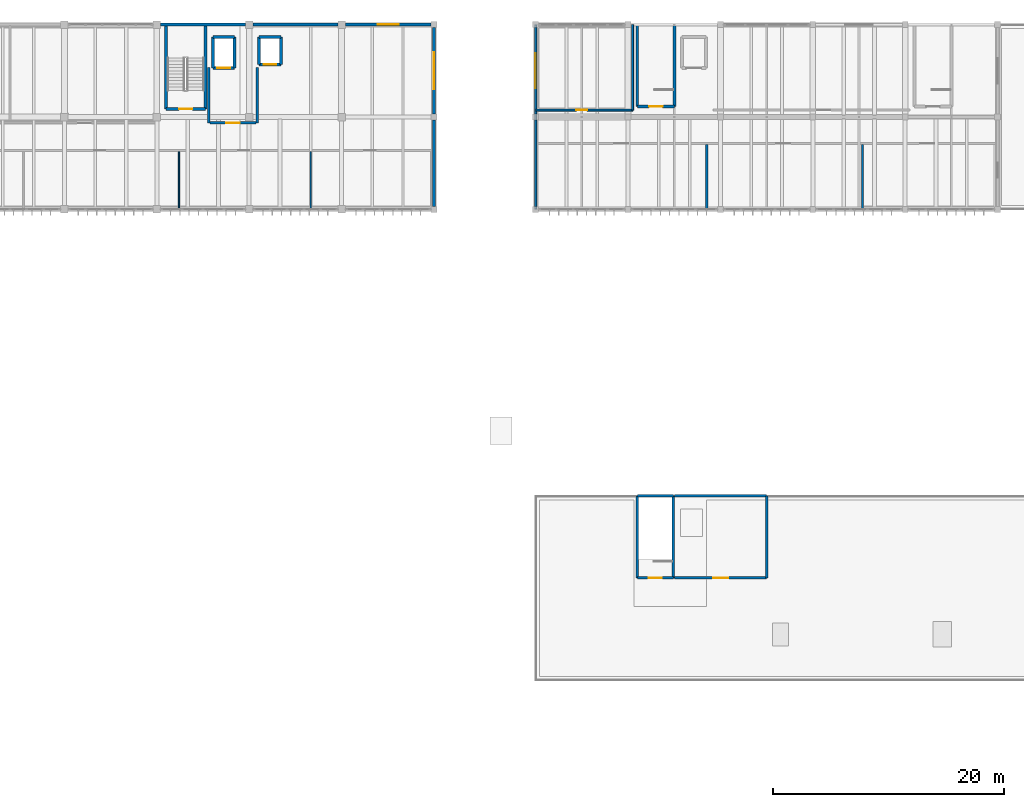
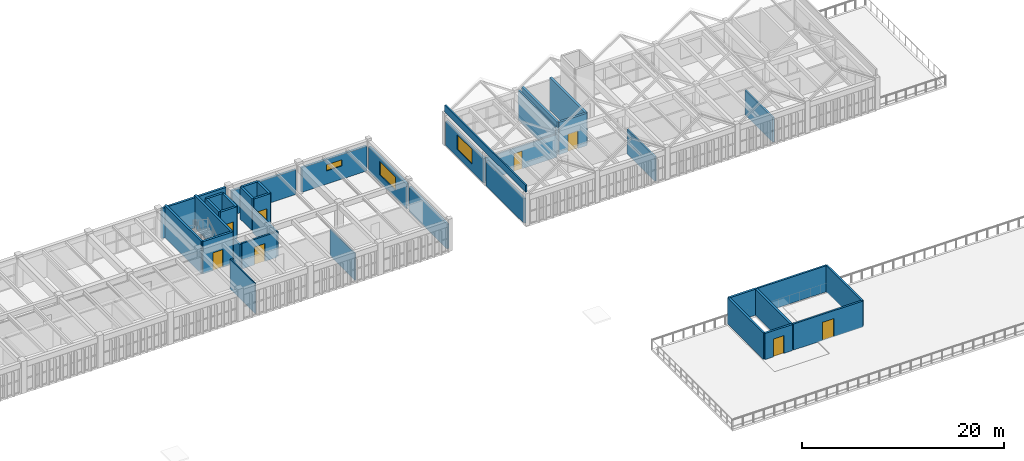
# One storey, part 21 of 31: 38 walls, 8 doors, 3 windows, 11 openings.
"""IFC4 building model written with IfcOpenShell, lengths in metres."""

from ifc_helpers import new_model, si_unit, direction, frame, frame_2d, origin, place, context, subcontext, project, spatial, rectangle, extrude, material, layer, layer_set, type_object, element, fill, save


model = new_model("IFC4")

# Units and contexts
model_context = context("Model", 3, precision=1e-05, world=origin(), true_north=direction((0.0, 1.0)))
body_context = subcontext(model_context, "Body", "Model", "MODEL_VIEW")
ifc_project = project(units=[si_unit("LENGTHUNIT", "METRE"), si_unit("AREAUNIT", "SQUARE_METRE"), si_unit("VOLUMEUNIT", "CUBIC_METRE"), si_unit("PLANEANGLEUNIT", "RADIAN"), si_unit("MASSUNIT", "GRAM", prefix="KILO")], contexts=[model_context])

# Site, building, storey
site_placement = place(None, origin())
site = spatial("IfcSite", under=ifc_project, at=site_placement, CompositionType="ELEMENT")
building_placement = place(site_placement, origin())
building = spatial("IfcBuilding", under=site, at=building_placement, Name="Tlaxcora Railside Police Headquarters", CompositionType="ELEMENT")
storey_placement = place(building_placement, frame((0.0, 0.0, 18.0)))
storey = spatial("IfcBuildingStorey", under=building, at=storey_placement, Name="L04", CompositionType="ELEMENT", Elevation=18.0)

# Walls
ifc_material_1 = material(Name="Gypsum acoustic partition board")
ifc_layer_1 = layer(ifc_material_1, 0.175048828125, Name="Gypsum acoustic partition board")
ifc_layer_set_1 = layer_set([ifc_layer_1], Name="Gypsum acoustic partition board")
wall_type_1 = type_object("IfcWallType", Name="Interior Partition Wall IW-22", PredefinedType="PARTITIONING", material=ifc_layer_set_1)
for number, where, z_axis, x_axis, name in (
    (1, (117.615966796875, 76.8798828125, 0.0), (0.0, 0.0, 1.0), (0.0, 1.0, 0.0), "V6 L04 interior partition 205"),
    (2, (131.094970703125, 76.8798828125, 0.0), (0.0, 0.0, 1.0), (0.0, 1.0, 0.0), "V6 L04 interior partition 206"),
):
    element("IfcWall", number, at=place(storey_placement, frame(where, z_axis=z_axis, x_axis=x_axis)), inside=storey, type_object=wall_type_1, Name=name, PredefinedType="PARTITIONING", context=body_context, shape_type="SweptSolid", body=[
        extrude(rectangle(XDim=5.52001953125, YDim=0.175048828125, at=frame_2d((2.760009765625, 0.0))), origin(), (0.0, 0.0, 1.0), 2.965087890625),
    ])

# Wall, opening, door
ifc_layer_2 = layer(ifc_material_1, 0.16796875, Name="Gypsum acoustic partition board")
ifc_layer_set_2 = layer_set([ifc_layer_2], Name="Gypsum acoustic partition board")
wall_type_2 = type_object("IfcWallType", Name="Interior Partition Wall IW-31", PredefinedType="PARTITIONING", material=ifc_layer_set_2)
wall_1_placement = place(storey_placement, frame((102.800048828125, 85.39990234375, 0.0), z_axis=(0.0, 0.0, 1.0), x_axis=(1.0, 0.0, 0.0)))
wall_1 = element("IfcWall", 3, at=wall_1_placement, inside=storey, type_object=wall_type_2, Name="V6 L04 interior partition 208", PredefinedType="PARTITIONING", context=body_context, shape_type="SweptSolid", body=[
    extrude(rectangle(XDim=8.39990234375, YDim=0.16796875, at=frame_2d((4.199951171875, 0.0))), origin(), (0.0, 0.0, 1.0), 2.764892578125),
])
opening_1_placement = place(wall_1_placement, frame((3.5, 0.0, 0.0)))
opening_1 = element("IfcOpeningElement", 4, at=opening_1_placement, cuts=wall_1, Name="Opening D-L04-233", PredefinedType="OPENING", context=body_context, shape_type="SweptSolid", body=[
    extrude(rectangle(XDim=0.949951171875, YDim=2.14990234375, at=frame_2d((0.47509765625, 1.074951171875))), frame((0.0, 0.093994140625, 0.0), z_axis=(0.0, -1.0, 0.0), x_axis=(1.0, 0.0, 0.0)), (0.0, 0.0, 1.0), 0.18798828125),
])
ifc_material_2 = material(Name="Steel ASTM A992 Grade 50", Category="steel")
door_type_1 = type_object("IfcDoorType", Name="Swing or Sliding Personnel Door ID-31", OperationType="NOTDEFINED", PredefinedType="DOOR", material=ifc_material_2)
door_1_placement = place(opening_1_placement, origin())
door_1 = element("IfcDoor", 5, at=door_1_placement, inside=storey, type_object=door_type_1, Name="V6 L04 door D-L04-233", OperationType="SINGLE_SWING_RIGHT", OverallHeight=2.14990234375, OverallWidth=0.949951171875, PredefinedType="DOOR", context=body_context, shape_type="SweptSolid", body=[
    extrude(rectangle(XDim=0.949951171875, YDim=2.14990234375, at=frame_2d((0.47509765625, 1.074951171875))), frame((0.0, 0.02490234375, 0.0), z_axis=(0.0, -1.0, 0.0), x_axis=(1.0, 0.0, 0.0)), (0.0, 0.0, 1.0), 0.050048828125),
])
fill(opening_1, door_1)

# Wall
ifc_layer_3 = layer(ifc_material_1, 0.1201171875, Name="Gypsum acoustic partition board")
ifc_layer_set_3 = layer_set([ifc_layer_3], Name="Gypsum acoustic partition board")
wall_type_3 = type_object("IfcWallType", Name="Interior Partition Wall IW-37", PredefinedType="PARTITIONING", material=ifc_layer_set_3)
wall_2_placement = place(storey_placement, frame((71.9208984375, 76.8798828125, 0.0), z_axis=(0.0, 0.0, 1.0), x_axis=(0.0, 1.0, 0.0)))
element("IfcWall", 6, at=wall_2_placement, inside=storey, type_object=wall_type_3, Name="V5 L04 interior partition 213", PredefinedType="PARTITIONING", context=body_context, shape_type="SweptSolid", body=[
    extrude(rectangle(XDim=4.920166015625, YDim=0.1201171875, at=frame_2d((2.4599609375, 0.0))), origin(), (0.0, 0.0, 1.0), 3.639892578125),
])

# Wall, opening, door
ifc_material_3 = material(Name="Pressed clay brick masonry", Category="masonry")
ifc_layer_4 = layer(ifc_material_3, 0.199951171875, Name="Pressed clay brick masonry")
ifc_layer_set_4 = layer_set([ifc_layer_4], Name="Pressed clay brick masonry")
wall_type_4 = type_object("IfcWallType", Name="Interior Partition Wall IW-60", PredefinedType="PARTITIONING", material=ifc_layer_set_4)
wall_3_placement = place(storey_placement, frame((74.60009765625, 84.300048828125, 0.0), z_axis=(0.0, 0.0, 1.0), x_axis=(1.0, 0.0, 0.0)))
wall_3 = element("IfcWall", 7, at=wall_3_placement, inside=storey, type_object=wall_type_4, Name="V5 L04 interior partition 202", PredefinedType="PARTITIONING", context=body_context, shape_type="SweptSolid", body=[
    extrude(rectangle(XDim=4.0, YDim=0.199951171875, at=frame_2d((2.0, 0.0))), origin(), (0.0, 0.0, 1.0), 3.074951171875),
])
opening_2_placement = place(wall_3_placement, frame((1.39990234375, 0.0, 0.0)))
opening_2 = element("IfcOpeningElement", 8, at=opening_2_placement, cuts=wall_3, Name="Opening D-L04-229", PredefinedType="OPENING", context=body_context, shape_type="SweptSolid", body=[
    extrude(rectangle(XDim=1.199951171875, YDim=2.14990234375, at=frame_2d((0.60009765625, 1.074951171875))), frame((0.0, 0.10986328125, 0.0), z_axis=(0.0, -1.0, 0.0), x_axis=(1.0, 0.0, 0.0)), (0.0, 0.0, 1.0), 0.219970703125),
])
door_type_2 = type_object("IfcDoorType", Name="Swing or Sliding Personnel Door ID-14", OperationType="NOTDEFINED", PredefinedType="DOOR", material=ifc_material_2)
door_2_placement = place(opening_2_placement, origin())
door_2 = element("IfcDoor", 9, at=door_2_placement, inside=storey, type_object=door_type_2, Name="V5 L04 door D-L04-229", OperationType="DOUBLE_DOOR_SINGLE_SWING", OverallHeight=2.14990234375, OverallWidth=1.199951171875, PredefinedType="DOOR", context=body_context, shape_type="SweptSolid", body=[
    extrude(rectangle(XDim=1.199951171875, YDim=2.14990234375, at=frame_2d((0.60009765625, 1.074951171875))), frame((0.0, 0.02490234375, 0.0), z_axis=(0.0, -1.0, 0.0), x_axis=(1.0, 0.0, 0.0)), (0.0, 0.0, 1.0), 0.050048828125),
])
fill(opening_2, door_2)

# Walls
wall_4_placement = place(storey_placement, frame((74.5, 84.300048828125, 0.0), z_axis=(0.0, 0.0, 1.0), x_axis=(0.0, 1.0, 0.0)))
element("IfcWall", 10, at=wall_4_placement, inside=storey, type_object=wall_type_4, Name="V5 L04 interior partition 203", PredefinedType="PARTITIONING", context=body_context, shape_type="SweptSolid", body=[
    extrude(rectangle(XDim=4.800048828125, YDim=0.199951171875, at=frame_2d((2.39990234375, 0.0))), origin(), (0.0, 0.0, 1.0), 2.925048828125),
])
wall_5_placement = place(storey_placement, frame((78.699951171875, 84.300048828125, 0.0), z_axis=(0.0, 0.0, 1.0), x_axis=(0.0, 1.0, 0.0)))
element("IfcWall", 11, at=wall_5_placement, inside=storey, type_object=wall_type_4, Name="V5 L04 interior partition 204", PredefinedType="PARTITIONING", context=body_context, shape_type="SweptSolid", body=[
    extrude(rectangle(XDim=4.800048828125, YDim=0.199951171875, at=frame_2d((2.39990234375, 0.0))), origin(), (0.0, 0.0, 1.0), 2.97509765625),
])
ifc_layer_5 = layer(ifc_material_1, 0.159912109375, Name="Gypsum acoustic partition board")
ifc_layer_set_5 = layer_set([ifc_layer_5], Name="Gypsum acoustic partition board")
wall_type_5 = type_object("IfcWallType", Name="Interior Partition Wall IW-73", PredefinedType="PARTITIONING", material=ifc_layer_set_5)
wall_6_placement = place(storey_placement, frame((111.199951171875, 85.39990234375, 0.0), z_axis=(0.0, 0.0, 1.0), x_axis=(0.0, 1.0, 0.0)))
element("IfcWall", 12, at=wall_6_placement, inside=storey, type_object=wall_type_5, Name="V6 L04 interior partition 209", PredefinedType="PARTITIONING", context=body_context, shape_type="SweptSolid", body=[
    extrude(rectangle(XDim=7.400146484375, YDim=0.159912109375, at=frame_2d((3.7001953125, 0.0))), origin(), (0.0, 0.0, 1.0), 3.639892578125),
])
ifc_layer_6 = layer(ifc_material_1, 0.114990234375, Name="Gypsum acoustic partition board")
ifc_layer_set_6 = layer_set([ifc_layer_6], Name="Gypsum acoustic partition board")
wall_type_6 = type_object("IfcWallType", Name="Interior Partition Wall IW-87", PredefinedType="PARTITIONING", material=ifc_layer_set_6)
wall_7_placement = place(storey_placement, frame((83.3291015625, 76.8798828125, 0.0), z_axis=(0.0, 0.0, 1.0), x_axis=(0.0, 1.0, 0.0)))
element("IfcWall", 13, at=wall_7_placement, inside=storey, type_object=wall_type_6, Name="V5 L04 interior partition 214", PredefinedType="PARTITIONING", context=body_context, shape_type="SweptSolid", body=[
    extrude(rectangle(XDim=4.920166015625, YDim=0.114990234375, at=frame_2d((2.4599609375, 0.0))), origin(), (0.0, 0.0, 1.0), 3.27490234375),
])

# Wall, opening, door
ifc_material_4 = material(Name="Precast concrete C40/50", Category="concrete")
ifc_layer_7 = layer(ifc_material_4, 0.2099609375, Name="Precast concrete C40/50")
ifc_layer_set_7 = layer_set([ifc_layer_7], Name="Precast concrete C40/50")
wall_type_7 = type_object("IfcWallType", Name="Roof Parapet Wall EW-12", PredefinedType="PARAPET", material=ifc_layer_set_7)
wall_8_placement = place(storey_placement, frame((114.840087890625, 44.89990234375, 0.0), z_axis=(0.0, 0.0, 1.0), x_axis=(1.0, 0.0, 0.0)))
wall_8 = element("IfcWall", 14, at=wall_8_placement, inside=storey, type_object=wall_type_7, Name="HH-C7-L04 garden pavilion south wall", PredefinedType="PARAPET", context=body_context, shape_type="SweptSolid", body=[
    extrude(rectangle(XDim=7.9599609375, YDim=0.2099609375, at=frame_2d((3.97998046875, 0.0))), origin(), (0.0, 0.0, 1.0), 3.14990234375),
])
opening_3_placement = place(wall_8_placement, frame((3.330078125, 0.0, 0.0)))
opening_3 = element("IfcOpeningElement", 15, at=opening_3_placement, cuts=wall_8, Name="Opening PD-C7", PredefinedType="OPENING", context=body_context, shape_type="SweptSolid", body=[
    extrude(rectangle(XDim=1.300048828125, YDim=2.199951171875, at=frame_2d((0.64990234375, 1.10009765625))), frame((0.0, 0.114990234375, 0.0), z_axis=(0.0, -1.0, 0.0), x_axis=(1.0, 0.0, 0.0)), (0.0, 0.0, 1.0), 0.22998046875),
])
ifc_material_5 = material(Name="Anodised aluminium framing", Category="aluminium")
door_type_3 = type_object("IfcDoorType", Name="Swing or Sliding Personnel Door ED-62", OperationType="NOTDEFINED", PredefinedType="DOOR", material=ifc_material_5)
door_3_placement = place(opening_3_placement, frame((1.300048828125, 0.0, 0.0), z_axis=(0.0, 0.0, 1.0), x_axis=(-1.0, 0.0, 0.0)))
door_3 = element("IfcDoor", 16, at=door_3_placement, inside=storey, type_object=door_type_3, Name="TERR-V7-L04-RG garden pavilion terrace door", OperationType="SINGLE_SWING_RIGHT", OverallHeight=2.199951171875, OverallWidth=1.300048828125, PredefinedType="DOOR", context=body_context, shape_type="SweptSolid", body=[
    extrude(rectangle(XDim=1.300048828125, YDim=2.199951171875, at=frame_2d((0.64990234375, 1.10009765625))), frame((0.0, 0.02490234375, 0.0), z_axis=(0.0, -1.0, 0.0), x_axis=(1.0, 0.0, 0.0)), (0.0, 0.0, 1.0), 0.050048828125),
])
fill(opening_3, door_3)

# Walls
wall_9_placement = place(storey_placement, frame((122.800048828125, 52.0, 0.0), z_axis=(0.0, 0.0, 1.0), x_axis=(-1.0, 0.0, 0.0)))
element("IfcWall", 17, at=wall_9_placement, inside=storey, type_object=wall_type_7, Name="HH-C7-L04 garden pavilion north wall", PredefinedType="PARAPET", context=body_context, shape_type="SweptSolid", body=[
    extrude(rectangle(XDim=7.9599609375, YDim=0.2099609375, at=frame_2d((3.97998046875, 0.0))), origin(), (0.0, 0.0, 1.0), 3.14990234375),
])
wall_10_placement = place(storey_placement, frame((122.800048828125, 44.89990234375, 0.0), z_axis=(0.0, 0.0, 1.0), x_axis=(0.0, 1.0, 0.0)))
element("IfcWall", 18, at=wall_10_placement, inside=storey, type_object=wall_type_7, Name="HH-C7-L04 garden pavilion east wall", PredefinedType="PARAPET", context=body_context, shape_type="SweptSolid", body=[
    extrude(rectangle(XDim=7.10009765625, YDim=0.2099609375, at=frame_2d((3.550048828125, 0.0))), origin(), (0.0, 0.0, 1.0), 3.14990234375),
])
ifc_layer_8 = layer(ifc_material_4, 0.1650390625, Name="Precast concrete C40/50")
ifc_layer_set_8 = layer_set([ifc_layer_8], Name="Precast concrete C40/50")
wall_type_8 = type_object("IfcWallType", Name="Roof Parapet Wall EW-81", PredefinedType="PARAPET", material=ifc_layer_set_8)
wall_11_placement = place(storey_placement, frame((102.800048828125, 76.800048828125, 3.89990234375), z_axis=(0.0, 0.0, 1.0), x_axis=(0.0, 1.0, 0.0)))
element("IfcWall", 19, at=wall_11_placement, inside=storey, type_object=wall_type_8, Name="Roof parapet L04-05", PredefinedType="PARAPET", context=body_context, shape_type="SweptSolid", body=[
    extrude(rectangle(XDim=16.0, YDim=0.1650390625, at=frame_2d((8.0, 0.0))), origin(), (0.0, 0.0, 1.0), 0.85009765625),
])

# Wall, opening, door
ifc_material_6 = material(Name="Concrete C40/50", Category="concrete")
ifc_layer_9 = layer(ifc_material_6, 0.25, Name="Concrete C40/50")
ifc_layer_set_9 = layer_set([ifc_layer_9], Name="Concrete C40/50")
wall_type_9 = type_object("IfcWallType", Name="Shear Core Wall IW-13", PredefinedType="SHEAR", material=ifc_layer_set_9)
wall_12_placement = place(storey_placement, frame((70.800048828125, 85.5, 0.0), z_axis=(0.0, 0.0, 1.0), x_axis=(1.0, 0.0, 0.0)))
wall_12 = element("IfcWall", 20, at=wall_12_placement, inside=storey, type_object=wall_type_9, Name="CORE-C2 L04 stair core wall S", PredefinedType="SHEAR", context=body_context, shape_type="SweptSolid", body=[
    extrude(rectangle(XDim=3.419921875, YDim=0.25, at=frame_2d((1.7099609375, 0.0))), origin(), (0.0, 0.0, 1.0), 3.89990234375),
])
opening_4_placement = place(wall_12_placement, frame((1.135009765625, 0.0, 0.0)))
opening_4 = element("IfcOpeningElement", 21, at=opening_4_placement, cuts=wall_12, Name="Opening SD-L04-015", PredefinedType="OPENING", context=body_context, shape_type="SweptSolid", body=[
    extrude(rectangle(XDim=1.14990234375, YDim=2.14990234375, at=frame_2d((0.574951171875, 1.074951171875))), frame((0.0, 0.135009765625, 0.0), z_axis=(0.0, -1.0, 0.0), x_axis=(1.0, 0.0, 0.0)), (0.0, 0.0, 1.0), 0.27001953125),
])
door_type_4 = type_object("IfcDoorType", Name="Swing or Sliding Personnel Door ID-73", OperationType="NOTDEFINED", PredefinedType="DOOR", material=ifc_material_2)
door_4_placement = place(opening_4_placement, origin())
door_4 = element("IfcDoor", 22, at=door_4_placement, inside=storey, type_object=door_type_4, Name="Stair ST2 L04 enclosure fire door", OperationType="SINGLE_SWING_LEFT", OverallHeight=2.14990234375, OverallWidth=1.14990234375, PredefinedType="DOOR", context=body_context, shape_type="SweptSolid", body=[
    extrude(rectangle(XDim=1.14990234375, YDim=2.14990234375, at=frame_2d((0.574951171875, 1.074951171875))), frame((0.0, 0.02490234375, 0.0), z_axis=(0.0, -1.0, 0.0), x_axis=(1.0, 0.0, 0.0)), (0.0, 0.0, 1.0), 0.050048828125),
])
fill(opening_4, door_4)

# Walls
for number, where, z_axis, x_axis, name in (
    (23, (74.219970703125, 85.5, 0.0), (0.0, 0.0, 1.0), (0.0, 1.0, 0.0), "CORE-C2 L04 stair core wall E"),
    (24, (70.800048828125, 92.800048828125, 0.0), (0.0, 0.0, 1.0), (0.0, -1.0, 0.0), "CORE-C2 L04 stair core wall W"),
):
    element("IfcWall", number, at=place(storey_placement, frame(where, z_axis=z_axis, x_axis=x_axis)), inside=storey, type_object=wall_type_9, Name=name, PredefinedType="SHEAR", context=body_context, shape_type="SweptSolid", body=[
        extrude(rectangle(XDim=7.300048828125, YDim=0.25, at=frame_2d((3.64990234375, 0.0))), origin(), (0.0, 0.0, 1.0), 3.89990234375),
    ])

# Wall, opening, door
wall_13_placement = place(storey_placement, frame((74.860107421875, 89.06005859375, 0.0), z_axis=(0.0, 0.0, 1.0), x_axis=(1.0, 0.0, 0.0)))
wall_13 = element("IfcWall", 25, at=wall_13_placement, inside=storey, type_object=wall_type_9, Name="Lift FFL-02 L04 shaft wall S", PredefinedType="SHEAR", context=body_context, shape_type="SweptSolid", body=[
    extrude(rectangle(XDim=1.8798828125, YDim=0.25, at=frame_2d((0.93994140625, 0.0))), origin(), (0.0, 0.0, 1.0), 3.89990234375),
])
opening_5_placement = place(wall_13_placement, frame((0.389892578125, 0.0, 0.0)))
opening_5 = element("IfcOpeningElement", 26, at=opening_5_placement, cuts=wall_13, Name="Opening LD-FFL-02-L04", PredefinedType="OPENING", context=body_context, shape_type="SweptSolid", body=[
    extrude(rectangle(XDim=1.10009765625, YDim=2.199951171875, at=frame_2d((0.550048828125, 1.10009765625))), frame((0.0, 0.135009765625, 0.0), z_axis=(0.0, -1.0, 0.0), x_axis=(1.0, 0.0, 0.0)), (0.0, 0.0, 1.0), 0.27001953125),
])
door_type_5 = type_object("IfcDoorType", Name="Swing or Sliding Personnel Door ID-15", OperationType="NOTDEFINED", PredefinedType="DOOR", material=ifc_material_2)
door_5_placement = place(opening_5_placement, origin())
door_5 = element("IfcDoor", 27, at=door_5_placement, inside=storey, type_object=door_type_5, Name="Lift FFL-02 L04 sliding landing door", OperationType="DOUBLE_DOOR_SLIDING", OverallHeight=2.199951171875, OverallWidth=1.10009765625, PredefinedType="DOOR", context=body_context, shape_type="SweptSolid", body=[
    extrude(rectangle(XDim=1.10009765625, YDim=2.199951171875, at=frame_2d((0.550048828125, 1.10009765625))), frame((0.0, 0.02490234375, 0.0), z_axis=(0.0, -1.0, 0.0), x_axis=(1.0, 0.0, 0.0)), (0.0, 0.0, 1.0), 0.050048828125),
])
fill(opening_5, door_5)

# Walls
wall_14_placement = place(storey_placement, frame((76.739990234375, 89.06005859375, 0.0), z_axis=(0.0, 0.0, 1.0), x_axis=(0.0, 1.0, 0.0)))
element("IfcWall", 28, at=wall_14_placement, inside=storey, type_object=wall_type_9, Name="Lift FFL-02 L04 shaft wall E", PredefinedType="SHEAR", context=body_context, shape_type="SweptSolid", body=[
    extrude(rectangle(XDim=2.679931640625, YDim=0.25, at=frame_2d((1.33984375, 0.0))), origin(), (0.0, 0.0, 1.0), 3.89990234375),
])
wall_15_placement = place(storey_placement, frame((76.739990234375, 91.739990234375, 0.0), z_axis=(0.0, 0.0, 1.0), x_axis=(-1.0, 0.0, 0.0)))
element("IfcWall", 29, at=wall_15_placement, inside=storey, type_object=wall_type_9, Name="Lift FFL-02 L04 shaft wall N", PredefinedType="SHEAR", context=body_context, shape_type="SweptSolid", body=[
    extrude(rectangle(XDim=1.8798828125, YDim=0.25, at=frame_2d((0.93994140625, 0.0))), origin(), (0.0, 0.0, 1.0), 3.89990234375),
])
wall_16_placement = place(storey_placement, frame((74.860107421875, 91.739990234375, 0.0), z_axis=(0.0, 0.0, 1.0), x_axis=(0.0, -1.0, 0.0)))
element("IfcWall", 30, at=wall_16_placement, inside=storey, type_object=wall_type_9, Name="Lift FFL-02 L04 shaft wall W", PredefinedType="SHEAR", context=body_context, shape_type="SweptSolid", body=[
    extrude(rectangle(XDim=2.679931640625, YDim=0.25, at=frame_2d((1.33984375, 0.0))), origin(), (0.0, 0.0, 1.0), 3.89990234375),
])

# Wall, opening, door
wall_17_placement = place(storey_placement, frame((78.860107421875, 89.360107421875, 0.0), z_axis=(0.0, 0.0, 1.0), x_axis=(1.0, 0.0, 0.0)))
wall_17 = element("IfcWall", 31, at=wall_17_placement, inside=storey, type_object=wall_type_9, Name="Lift PL-03 L04 shaft wall S", PredefinedType="SHEAR", context=body_context, shape_type="SweptSolid", body=[
    extrude(rectangle(XDim=1.8798828125, YDim=0.25, at=frame_2d((0.93994140625, 0.0))), origin(), (0.0, 0.0, 1.0), 3.89990234375),
])
opening_6_placement = place(wall_17_placement, frame((0.389892578125, 0.0, 0.0)))
opening_6 = element("IfcOpeningElement", 32, at=opening_6_placement, cuts=wall_17, Name="Opening LD-PL-03-L04", PredefinedType="OPENING", context=body_context, shape_type="SweptSolid", body=[
    extrude(rectangle(XDim=1.10009765625, YDim=2.199951171875, at=frame_2d((0.550048828125, 1.10009765625))), frame((0.0, 0.135009765625, 0.0), z_axis=(0.0, -1.0, 0.0), x_axis=(1.0, 0.0, 0.0)), (0.0, 0.0, 1.0), 0.27001953125),
])
door_6_placement = place(opening_6_placement, origin())
door_6 = element("IfcDoor", 33, at=door_6_placement, inside=storey, type_object=door_type_5, Name="Lift PL-03 L04 sliding landing door", OperationType="DOUBLE_DOOR_SLIDING", OverallHeight=2.199951171875, OverallWidth=1.10009765625, PredefinedType="DOOR", context=body_context, shape_type="SweptSolid", body=[
    extrude(rectangle(XDim=1.10009765625, YDim=2.199951171875, at=frame_2d((0.550048828125, 1.10009765625))), frame((0.0, 0.02490234375, 0.0), z_axis=(0.0, -1.0, 0.0), x_axis=(1.0, 0.0, 0.0)), (0.0, 0.0, 1.0), 0.050048828125),
])
fill(opening_6, door_6)

# Walls
wall_18_placement = place(storey_placement, frame((80.739990234375, 89.360107421875, 0.0), z_axis=(0.0, 0.0, 1.0), x_axis=(0.0, 1.0, 0.0)))
element("IfcWall", 34, at=wall_18_placement, inside=storey, type_object=wall_type_9, Name="Lift PL-03 L04 shaft wall E", PredefinedType="SHEAR", context=body_context, shape_type="SweptSolid", body=[
    extrude(rectangle(XDim=2.3798828125, YDim=0.25, at=frame_2d((1.18994140625, 0.0))), origin(), (0.0, 0.0, 1.0), 3.89990234375),
])
wall_19_placement = place(storey_placement, frame((80.739990234375, 91.739990234375, 0.0), z_axis=(0.0, 0.0, 1.0), x_axis=(-1.0, 0.0, 0.0)))
element("IfcWall", 35, at=wall_19_placement, inside=storey, type_object=wall_type_9, Name="Lift PL-03 L04 shaft wall N", PredefinedType="SHEAR", context=body_context, shape_type="SweptSolid", body=[
    extrude(rectangle(XDim=1.8798828125, YDim=0.25, at=frame_2d((0.93994140625, 0.0))), origin(), (0.0, 0.0, 1.0), 3.89990234375),
])
wall_20_placement = place(storey_placement, frame((78.860107421875, 91.739990234375, 0.0), z_axis=(0.0, 0.0, 1.0), x_axis=(0.0, -1.0, 0.0)))
element("IfcWall", 36, at=wall_20_placement, inside=storey, type_object=wall_type_9, Name="Lift PL-03 L04 shaft wall W", PredefinedType="SHEAR", context=body_context, shape_type="SweptSolid", body=[
    extrude(rectangle(XDim=2.3798828125, YDim=0.25, at=frame_2d((1.18994140625, 0.0))), origin(), (0.0, 0.0, 1.0), 3.89990234375),
])

# Wall, opening, door
wall_21_placement = place(storey_placement, frame((111.60009765625, 85.699951171875, 0.0), z_axis=(0.0, 0.0, 1.0), x_axis=(1.0, 0.0, 0.0)))
wall_21 = element("IfcWall", 37, at=wall_21_placement, inside=storey, type_object=wall_type_9, Name="CORE-C3 L04 stair core wall S", PredefinedType="SHEAR", context=body_context, shape_type="SweptSolid", body=[
    extrude(rectangle(XDim=3.219970703125, YDim=0.25, at=frame_2d((1.60986328125, 0.0))), origin(), (0.0, 0.0, 1.0), 3.89990234375),
])
opening_7_placement = place(wall_21_placement, frame((1.034912109375, 0.0, 0.0)))
opening_7 = element("IfcOpeningElement", 38, at=opening_7_placement, cuts=wall_21, Name="Opening SD-L04-024", PredefinedType="OPENING", context=body_context, shape_type="SweptSolid", body=[
    extrude(rectangle(XDim=1.14990234375, YDim=2.14990234375, at=frame_2d((0.574951171875, 1.074951171875))), frame((0.0, 0.135009765625, 0.0), z_axis=(0.0, -1.0, 0.0), x_axis=(1.0, 0.0, 0.0)), (0.0, 0.0, 1.0), 0.27001953125),
])
door_7_placement = place(opening_7_placement, origin())
door_7 = element("IfcDoor", 39, at=door_7_placement, inside=storey, type_object=door_type_4, Name="Stair ST3 L04 enclosure fire door", OperationType="SINGLE_SWING_RIGHT", OverallHeight=2.14990234375, OverallWidth=1.14990234375, PredefinedType="DOOR", context=body_context, shape_type="SweptSolid", body=[
    extrude(rectangle(XDim=1.14990234375, YDim=2.14990234375, at=frame_2d((0.574951171875, 1.074951171875))), frame((0.0, 0.02490234375, 0.0), z_axis=(0.0, -1.0, 0.0), x_axis=(1.0, 0.0, 0.0)), (0.0, 0.0, 1.0), 0.050048828125),
])
fill(opening_7, door_7)

# Walls
for number, where, z_axis, x_axis, name in (
    (40, (114.820068359375, 85.699951171875, 0.0), (0.0, 0.0, 1.0), (0.0, 1.0, 0.0), "CORE-C3 L04 stair core wall E"),
    (41, (111.60009765625, 92.800048828125, 0.0), (0.0, 0.0, 1.0), (0.0, -1.0, 0.0), "CORE-C3 L04 stair core wall W"),
):
    element("IfcWall", number, at=place(storey_placement, frame(where, z_axis=z_axis, x_axis=x_axis)), inside=storey, type_object=wall_type_9, Name=name, PredefinedType="SHEAR", context=body_context, shape_type="SweptSolid", body=[
        extrude(rectangle(XDim=7.10009765625, YDim=0.25, at=frame_2d((3.550048828125, 0.0))), origin(), (0.0, 0.0, 1.0), 3.89990234375),
    ])

# Wall, opening, window
ifc_layer_10 = layer(ifc_material_4, 0.22509765625, Name="Precast concrete C40/50")
ifc_layer_set_10 = layer_set([ifc_layer_10], Name="Precast concrete C40/50")
wall_type_10 = type_object("IfcWallType", Name="Structural Bearing Wall EW-69", PredefinedType="SOLIDWALL", material=ifc_layer_set_10)
wall_22_placement = place(storey_placement, frame((102.800048828125, 92.550048828125, 0.0), z_axis=(0.0, 0.0, 1.0), x_axis=(0.0, -1.0, 0.0)))
wall_22 = element("IfcWall", 42, at=wall_22_placement, inside=storey, type_object=wall_type_10, Name="V6 L04 exterior wall 3.0", PredefinedType="SOLIDWALL", context=body_context, shape_type="SweptSolid", body=[
    extrude(rectangle(XDim=7.5, YDim=0.22509765625, at=frame_2d((3.75, 0.0))), origin(), (0.0, 0.0, 1.0), 2.97998046875),
])
opening_8_placement = place(wall_22_placement, frame((2.25, 0.0, 0.89990234375)))
opening_8 = element("IfcOpeningElement", 43, at=opening_8_placement, cuts=wall_22, Name="Opening WN-93", PredefinedType="OPENING", context=body_context, shape_type="SweptSolid", body=[
    extrude(rectangle(XDim=3.0, YDim=1.800048828125, at=frame_2d((1.5, 0.89990234375))), frame((0.0, 0.12255859375, 0.0), z_axis=(0.0, -1.0, 0.0), x_axis=(1.0, 0.0, 0.0)), (0.0, 0.0, 1.0), 0.2451171875),
])
ifc_material_7 = material(Name="Thermally broken low-E insulated glazing", Category="glass")
window_type_1 = type_object("IfcWindowType", Name="Exterior Framed or Circular Window WN-93", PartitioningType="SINGLE_PANEL", PredefinedType="WINDOW", material=ifc_material_7)
window_1_placement = place(opening_8_placement, origin())
window_1 = element("IfcWindow", 44, at=window_1_placement, inside=storey, type_object=window_type_1, Name="V6 L04 window 187", OverallHeight=1.800048828125, OverallWidth=3.0, PartitioningType="SINGLE_PANEL", PredefinedType="WINDOW", context=body_context, shape_type="SweptSolid", body=[
    extrude(rectangle(XDim=3.0, YDim=1.800048828125, at=frame_2d((1.5, 0.89990234375))), frame((0.0, 0.030029296875, 0.0), z_axis=(0.0, -1.0, 0.0), x_axis=(1.0, 0.0, 0.0)), (0.0, 0.0, 1.0), 0.06005859375),
])
fill(opening_8, window_1)

# Walls
wall_23_placement = place(storey_placement, frame((102.800048828125, 84.550048828125, 0.0), z_axis=(0.0, 0.0, 1.0), x_axis=(0.0, -1.0, 0.0)))
element("IfcWall", 45, at=wall_23_placement, inside=storey, type_object=wall_type_10, Name="V6 L04 exterior wall 3.1", PredefinedType="SOLIDWALL", context=body_context, shape_type="SweptSolid", body=[
    extrude(rectangle(XDim=7.5, YDim=0.22509765625, at=frame_2d((3.75, 0.0))), origin(), (0.0, 0.0, 1.0), 2.97998046875),
])
ifc_layer_11 = layer(ifc_material_4, 0.2451171875, Name="Precast concrete C40/50")
ifc_layer_set_11 = layer_set([ifc_layer_11], Name="Precast concrete C40/50")
wall_type_11 = type_object("IfcWallType", Name="Structural Bearing Wall EW-94", PredefinedType="SOLIDWALL", material=ifc_layer_set_11)
wall_24_placement = place(storey_placement, frame((94.0, 77.050048828125, 0.0), z_axis=(0.0, 0.0, 1.0), x_axis=(0.0, 1.0, 0.0)))
element("IfcWall", 46, at=wall_24_placement, inside=storey, type_object=wall_type_11, Name="V5 L04 exterior wall 3.0", PredefinedType="SOLIDWALL", context=body_context, shape_type="SweptSolid", body=[
    extrude(rectangle(XDim=7.5, YDim=0.2451171875, at=frame_2d((3.75, 0.0))), origin(), (0.0, 0.0, 1.0), 2.989990234375),
])

# Wall, opening, window
wall_25_placement = place(storey_placement, frame((94.0, 85.050048828125, 0.0), z_axis=(0.0, 0.0, 1.0), x_axis=(0.0, 1.0, 0.0)))
wall_25 = element("IfcWall", 47, at=wall_25_placement, inside=storey, type_object=wall_type_11, Name="V5 L04 exterior wall 3.1", PredefinedType="SOLIDWALL", context=body_context, shape_type="SweptSolid", body=[
    extrude(rectangle(XDim=7.5, YDim=0.2451171875, at=frame_2d((3.75, 0.0))), origin(), (0.0, 0.0, 1.0), 2.989990234375),
])
opening_9_placement = place(wall_25_placement, frame((2.14990234375, 0.0, 0.89990234375)))
opening_9 = element("IfcOpeningElement", 48, at=opening_9_placement, cuts=wall_25, Name="Opening WN-47", PredefinedType="OPENING", context=body_context, shape_type="SweptSolid", body=[
    extrude(rectangle(XDim=3.199951171875, YDim=1.60009765625, at=frame_2d((1.60009765625, 0.800048828125))), frame((0.0, 0.132568359375, 0.0), z_axis=(0.0, -1.0, 0.0), x_axis=(1.0, 0.0, 0.0)), (0.0, 0.0, 1.0), 0.26513671875),
])
window_type_2 = type_object("IfcWindowType", Name="Exterior Framed or Circular Window WN-47", PartitioningType="SINGLE_PANEL", PredefinedType="WINDOW", material=ifc_material_7)
window_2_placement = place(opening_9_placement, origin())
window_2 = element("IfcWindow", 49, at=window_2_placement, inside=storey, type_object=window_type_2, Name="V5 L04 window 140", OverallHeight=1.60009765625, OverallWidth=3.199951171875, PartitioningType="SINGLE_PANEL", PredefinedType="WINDOW", context=body_context, shape_type="SweptSolid", body=[
    extrude(rectangle(XDim=3.199951171875, YDim=1.60009765625, at=frame_2d((1.60009765625, 0.800048828125))), frame((0.0, 0.030029296875, 0.0), z_axis=(0.0, -1.0, 0.0), x_axis=(1.0, 0.0, 0.0)), (0.0, 0.0, 1.0), 0.06005859375),
])
fill(opening_9, window_2)

wall_26_placement = place(storey_placement, frame((93.75, 92.800048828125, 0.0), z_axis=(0.0, 0.0, 1.0), x_axis=(-1.0, 0.0, 0.0)))
wall_26 = element("IfcWall", 50, at=wall_26_placement, inside=storey, type_object=wall_type_11, Name="V5 L04 exterior wall 4.0", PredefinedType="SOLIDWALL", context=body_context, shape_type="SweptSolid", body=[
    extrude(rectangle(XDim=7.425048828125, YDim=0.2451171875, at=frame_2d((3.71240234375, 0.0))), origin(), (0.0, 0.0, 1.0), 2.989990234375),
])
opening_10_placement = place(wall_26_placement, frame((2.8125, 0.0, 1.60009765625)))
opening_10 = element("IfcOpeningElement", 51, at=opening_10_placement, cuts=wall_26, Name="Opening WN-40", PredefinedType="OPENING", context=body_context, shape_type="SweptSolid", body=[
    extrude(rectangle(XDim=1.800048828125, YDim=0.75, at=frame_2d((0.89990234375, 0.375))), frame((0.0, 0.132568359375, 0.0), z_axis=(0.0, -1.0, 0.0), x_axis=(1.0, 0.0, 0.0)), (0.0, 0.0, 1.0), 0.26513671875),
])
window_type_3 = type_object("IfcWindowType", Name="Exterior Framed or Circular Window WN-40", PartitioningType="SINGLE_PANEL", PredefinedType="WINDOW", material=ifc_material_7)
window_3_placement = place(opening_10_placement, origin())
window_3 = element("IfcWindow", 52, at=window_3_placement, inside=storey, type_object=window_type_3, Name="V5 L04 window 141", OverallHeight=0.75, OverallWidth=1.800048828125, PartitioningType="SINGLE_PANEL", PredefinedType="WINDOW", context=body_context, shape_type="SweptSolid", body=[
    extrude(rectangle(XDim=1.800048828125, YDim=0.75, at=frame_2d((0.89990234375, 0.375))), frame((0.0, 0.030029296875, 0.0), z_axis=(0.0, -1.0, 0.0), x_axis=(1.0, 0.0, 0.0)), (0.0, 0.0, 1.0), 0.06005859375),
])
fill(opening_10, window_3)

# Walls
wall_27_placement = place(storey_placement, frame((85.675048828125, 92.800048828125, 0.0), z_axis=(0.0, 0.0, 1.0), x_axis=(-1.0, 0.0, 0.0)))
element("IfcWall", 53, at=wall_27_placement, inside=storey, type_object=wall_type_11, Name="V5 L04 exterior wall 4.1", PredefinedType="SOLIDWALL", context=body_context, shape_type="SweptSolid", body=[
    extrude(rectangle(XDim=7.35009765625, YDim=0.2451171875, at=frame_2d((3.675048828125, 0.0))), origin(), (0.0, 0.0, 1.0), 2.989990234375),
])
wall_28_placement = place(storey_placement, frame((77.675048828125, 92.800048828125, 0.0), z_axis=(0.0, 0.0, 1.0), x_axis=(-1.0, 0.0, 0.0)))
element("IfcWall", 54, at=wall_28_placement, inside=storey, type_object=wall_type_11, Name="V5 L04 exterior wall 4.2", PredefinedType="SOLIDWALL", context=body_context, shape_type="SweptSolid", body=[
    extrude(rectangle(XDim=7.35009765625, YDim=0.2451171875, at=frame_2d((3.675048828125, 0.0))), origin(), (0.0, 0.0, 1.0), 3.639892578125),
])

# Wall, opening, door
wall_29_placement = place(storey_placement, frame((111.60009765625, 44.89990234375, 0.0), z_axis=(0.0, 0.0, 1.0), x_axis=(1.0, 0.0, 0.0)))
wall_29 = element("IfcWall", 55, at=wall_29_placement, inside=storey, type_object=wall_type_11, Name="HH-C7-L04 south wall", PredefinedType="SOLIDWALL", context=body_context, shape_type="SweptSolid", body=[
    extrude(rectangle(XDim=3.119873046875, YDim=0.2451171875, at=frame_2d((1.56005859375, 0.0))), origin(), (0.0, 0.0, 1.0), 3.14990234375),
])
opening_11_placement = place(wall_29_placement, frame((0.985107421875, 0.0, 0.0)))
opening_11 = element("IfcOpeningElement", 56, at=opening_11_placement, cuts=wall_29, Name="Opening RD-C7", PredefinedType="OPENING", context=body_context, shape_type="SweptSolid", body=[
    extrude(rectangle(XDim=1.14990234375, YDim=2.14990234375, at=frame_2d((0.574951171875, 1.074951171875))), frame((0.0, 0.132568359375, 0.0), z_axis=(0.0, -1.0, 0.0), x_axis=(1.0, 0.0, 0.0)), (0.0, 0.0, 1.0), 0.26513671875),
])
door_type_6 = type_object("IfcDoorType", Name="Swing or Sliding Personnel Door ED-58", OperationType="NOTDEFINED", PredefinedType="DOOR", material=ifc_material_5)
door_8_placement = place(opening_11_placement, frame((1.14990234375, 0.0, 0.0), z_axis=(0.0, 0.0, 1.0), x_axis=(-1.0, 0.0, 0.0)))
door_8 = element("IfcDoor", 57, at=door_8_placement, inside=storey, type_object=door_type_6, Name="TERR-V7-L04-RG stair exit door", OperationType="SINGLE_SWING_LEFT", OverallHeight=2.14990234375, OverallWidth=1.14990234375, PredefinedType="DOOR", context=body_context, shape_type="SweptSolid", body=[
    extrude(rectangle(XDim=1.14990234375, YDim=2.14990234375, at=frame_2d((0.574951171875, 1.074951171875))), frame((0.0, 0.02490234375, 0.0), z_axis=(0.0, -1.0, 0.0), x_axis=(1.0, 0.0, 0.0)), (0.0, 0.0, 1.0), 0.050048828125),
])
fill(opening_11, door_8)

# Walls
wall_30_placement = place(storey_placement, frame((114.719970703125, 52.0, 0.0), z_axis=(0.0, 0.0, 1.0), x_axis=(-1.0, 0.0, 0.0)))
element("IfcWall", 58, at=wall_30_placement, inside=storey, type_object=wall_type_11, Name="HH-C7-L04 north wall", PredefinedType="SOLIDWALL", context=body_context, shape_type="SweptSolid", body=[
    extrude(rectangle(XDim=3.119873046875, YDim=0.2451171875, at=frame_2d((1.56005859375, 0.0))), origin(), (0.0, 0.0, 1.0), 3.14990234375),
])
for number, where, z_axis, x_axis, name in (
    (59, (114.719970703125, 44.89990234375, 0.0), (0.0, 0.0, 1.0), (0.0, 1.0, 0.0), "HH-C7-L04 east partition wall"),
    (60, (111.60009765625, 52.0, 0.0), (0.0, 0.0, 1.0), (0.0, -1.0, 0.0), "HH-C7-L04 west wall"),
):
    element("IfcWall", number, at=place(storey_placement, frame(where, z_axis=z_axis, x_axis=x_axis)), inside=storey, type_object=wall_type_11, Name=name, PredefinedType="SOLIDWALL", context=body_context, shape_type="SweptSolid", body=[
        extrude(rectangle(XDim=7.10009765625, YDim=0.2451171875, at=frame_2d((3.550048828125, 0.0))), origin(), (0.0, 0.0, 1.0), 3.14990234375),
    ])

save(model, "model.ifc")
